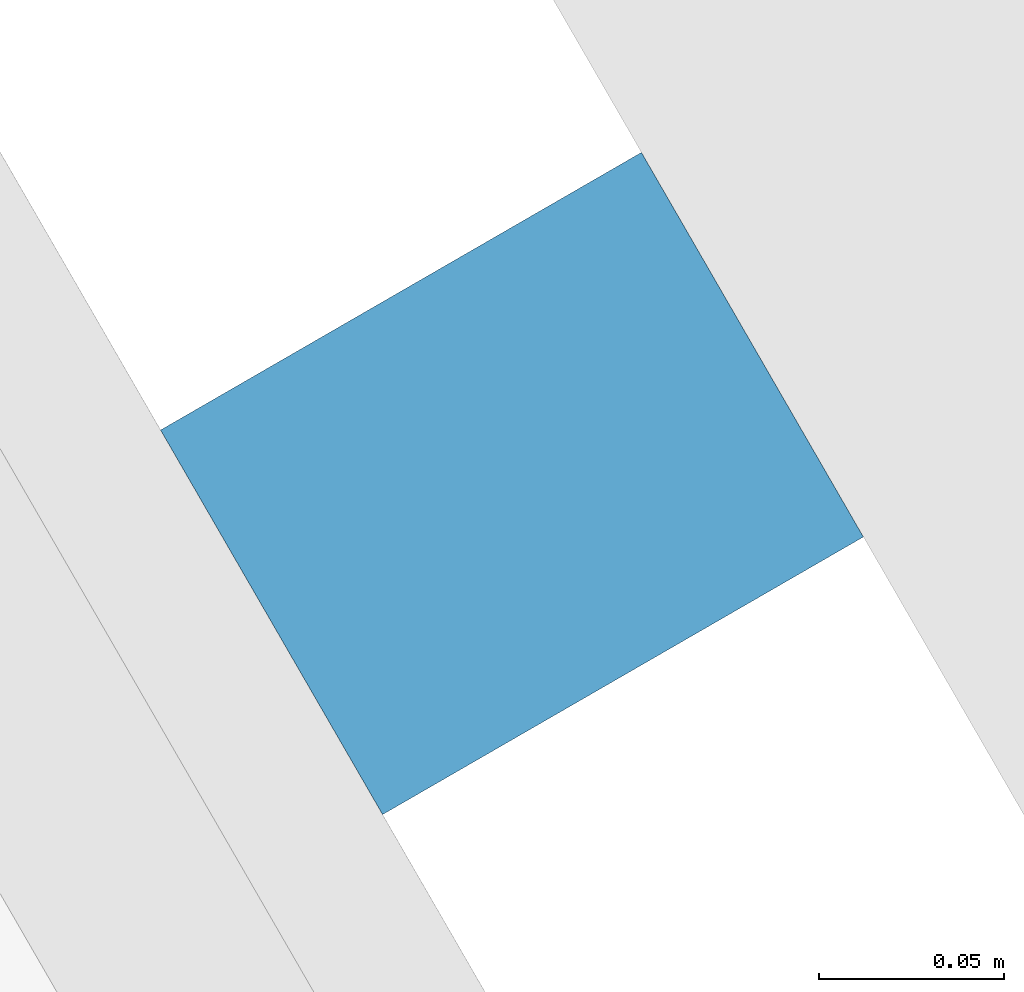
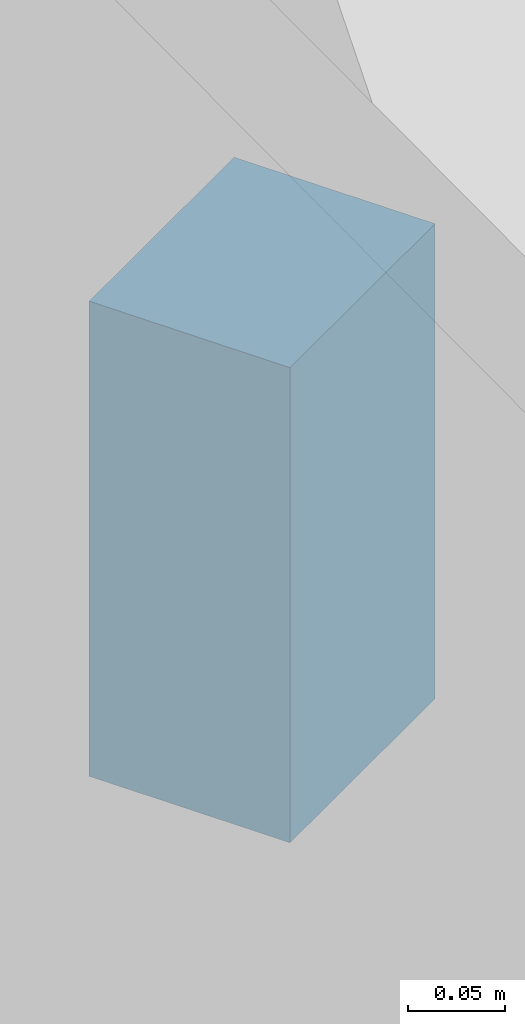
# One storey, part 12 of 14: 1 discrete accessory.
"""IFC4 building model written with IfcOpenShell, lengths in metres."""

from ifc_helpers import new_model, si_unit, direction, frame, origin, place, context, subcontext, project, spatial, polyline, outline, extrude, source, transform, mapped, material, type_object, element, save


model = new_model("IFC4")

# Units and contexts
model_context = context("Model", 3, precision=1e-05, world=origin(), true_north=direction((0.0, 1.0)))
body_context = subcontext(model_context, "Body", "Model", "MODEL_VIEW")
ifc_project = project(units=[si_unit("LENGTHUNIT", "METRE"), si_unit("AREAUNIT", "SQUARE_METRE"), si_unit("VOLUMEUNIT", "CUBIC_METRE"), si_unit("PLANEANGLEUNIT", "RADIAN"), si_unit("MASSUNIT", "GRAM", prefix="KILO")], contexts=[model_context])

# Site, building, storey
site_placement = place(None, origin())
site = spatial("IfcSite", under=ifc_project, at=site_placement, CompositionType="ELEMENT")
building_placement = place(site_placement, origin())
building = spatial("IfcBuilding", under=site, at=building_placement, Name="Altiplano Prism Tower", CompositionType="ELEMENT")
storey_placement = place(building_placement, frame((0.0, 0.0, 295.0)))
storey = spatial("IfcBuildingStorey", under=building, at=storey_placement, Name="L76", CompositionType="ELEMENT", Elevation=295.0)

# Discrete accessory
ifc_material = material(Name="Stainless steel", Category="steel")
discrete_accessory_type = type_object("IfcDiscreteAccessoryType", Name="Stone fin fixing prongs", PredefinedType="USERDEFINED", material=ifc_material)
shared_shape = source(origin(), body_context, "Body", "SweptSolid", [
    extrude(outline(polyline([(-1.16162109375, 2.07177734375), (-1.041748046875, 2.07177734375), (-1.041748046875, 2.37158203125), (-1.16162109375, 2.37158203125), (-1.16162109375, 2.07177734375)])), frame((0.0, 0.0, 0.0), z_axis=(0.0, -1.0, 0.0), x_axis=(1.0, 0.0, 0.0)), (0.0, 0.0, 1.0), 0.14990234375),
])
discrete_accessory_placement = place(storey_placement, origin())
element("IfcDiscreteAccessory", 1, at=discrete_accessory_placement, inside=storey, type_object=discrete_accessory_type, Name="Fin fixings L76 north-east chamfer", ObjectType="BRACKET", PredefinedType="USERDEFINED", context=body_context, shape_type="MappedRepresentation", body=[
    mapped(shared_shape, transform((106.260986328125, 103.151123046875, -0.39990234375), x_axis=(-0.500000067794, 0.866025364643, 0.0), y_axis=(-0.866025364643, -0.500000067794, 0.0), z_axis=(0.0, 0.0, 1.0))),
])

save(model, "model.ifc")
